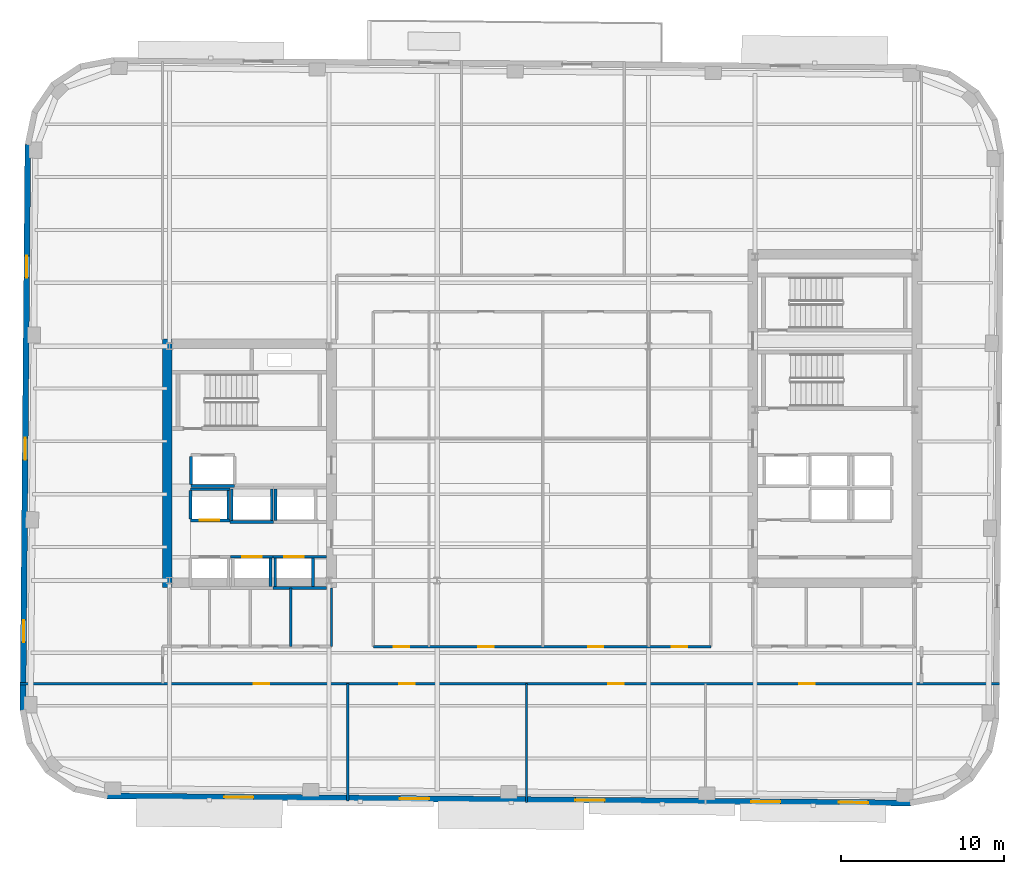
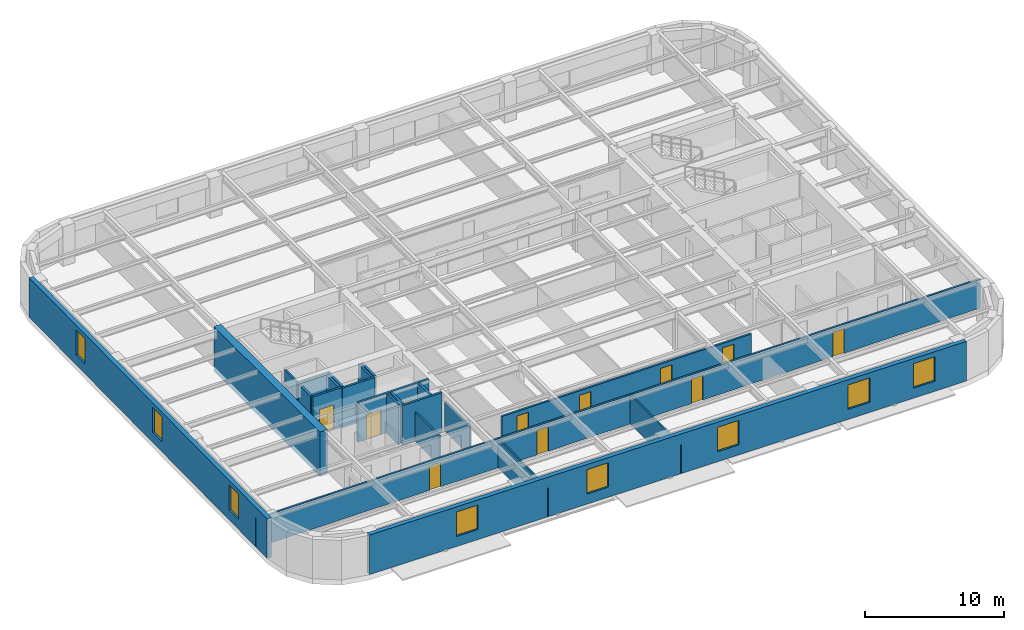
# One storey, part 4 of 11: 25 walls, 11 doors, 8 windows, 19 openings.
"""IFC4 building model written with IfcOpenShell, lengths in metres."""

from ifc_helpers import new_model, si_unit, direction, frame, frame_2d, origin, place, context, subcontext, project, spatial, rectangle, extrude, material, layer, layer_set, type_object, element, fill, save


model = new_model("IFC4")

# Units and contexts
model_context = context("Model", 3, precision=1e-05, world=origin(), true_north=direction((0.0, 1.0)))
body_context = subcontext(model_context, "Body", "Model", "MODEL_VIEW")
ifc_project = project(units=[si_unit("LENGTHUNIT", "METRE"), si_unit("AREAUNIT", "SQUARE_METRE"), si_unit("VOLUMEUNIT", "CUBIC_METRE"), si_unit("PLANEANGLEUNIT", "RADIAN"), si_unit("MASSUNIT", "GRAM", prefix="KILO")], contexts=[model_context])

# Site, building, storey
site_placement = place(None, origin())
site = spatial("IfcSite", under=ifc_project, at=site_placement, CompositionType="ELEMENT")
building_placement = place(site_placement, origin())
building = spatial("IfcBuilding", under=site, at=building_placement, Name="Kolvaren Arena Tower", CompositionType="ELEMENT")
storey_placement = place(building_placement, frame((0.0, 0.0, 158.449951171875)))
storey = spatial("IfcBuildingStorey", under=building, at=storey_placement, Name="L37", CompositionType="ELEMENT", Elevation=158.449951171875)

# Wall, openings, doors
ifc_material_1 = material(Name="Gypsum board acoustic assembly", Category="gypsum")
ifc_layer_1 = layer(ifc_material_1, 0.159912109375)
ifc_layer_set_1 = layer_set([ifc_layer_1], Name="Gypsum board acoustic assembly")
wall_type_1 = type_object("IfcWallType", Name="CORR-160", PredefinedType="PARTITIONING", material=ifc_layer_set_1)
wall_1_placement = place(storey_placement, frame((5.363525390625, 13.10009765625, 0.0), z_axis=(0.0, 0.0, 1.0), x_axis=(1.0, 0.0, 0.0)))
wall_1 = element("IfcWall", 1, at=wall_1_placement, inside=storey, type_object=wall_type_1, Name="Interior Partition Wall (L37)", PredefinedType="PARTITIONING", context=body_context, shape_type="SweptSolid", body=[
    extrude(rectangle(XDim=60.202392578125, YDim=0.159912109375, at=frame_2d((30.10107421875, 0.0))), origin(), (0.0, 0.0, 1.0), 2.5400390625),
])
opening_1_placement = place(wall_1_placement, frame((14.361328125, 0.0, 0.0)))
opening_1 = element("IfcOpeningElement", 2, at=opening_1_placement, cuts=wall_1, Name="Opening D05", PredefinedType="OPENING", context=body_context, shape_type="SweptSolid", body=[
    extrude(rectangle(XDim=0.949951171875, YDim=2.14990234375, at=frame_2d((0.47509765625, 1.074951171875))), frame((0.0, 0.08984375, 0.0), z_axis=(0.0, -1.0, 0.0), x_axis=(1.0, 0.0, 0.0)), (0.0, 0.0, 1.0), 0.179931640625),
])
opening_2_placement = place(wall_1_placement, frame((23.311279296875, 0.0, 0.0)))
opening_2 = element("IfcOpeningElement", 3, at=opening_2_placement, cuts=wall_1, Name="Opening D05", PredefinedType="OPENING", context=body_context, shape_type="SweptSolid", body=[
    extrude(rectangle(XDim=0.949951171875, YDim=2.14990234375, at=frame_2d((0.47509765625, 1.074951171875))), frame((0.0, 0.08984375, 0.0), z_axis=(0.0, -1.0, 0.0), x_axis=(1.0, 0.0, 0.0)), (0.0, 0.0, 1.0), 0.179931640625),
])
opening_3_placement = place(wall_1_placement, frame((36.161376953125, 0.0, 0.0)))
opening_3 = element("IfcOpeningElement", 4, at=opening_3_placement, cuts=wall_1, Name="Opening D05", PredefinedType="OPENING", context=body_context, shape_type="SweptSolid", body=[
    extrude(rectangle(XDim=0.949951171875, YDim=2.14990234375, at=frame_2d((0.47509765625, 1.074951171875))), frame((0.0, 0.08984375, 0.0), z_axis=(0.0, -1.0, 0.0), x_axis=(1.0, 0.0, 0.0)), (0.0, 0.0, 1.0), 0.179931640625),
])
opening_4_placement = place(wall_1_placement, frame((47.911376953125, 0.0, 0.0)))
opening_4 = element("IfcOpeningElement", 5, at=opening_4_placement, cuts=wall_1, Name="Opening D05", PredefinedType="OPENING", context=body_context, shape_type="SweptSolid", body=[
    extrude(rectangle(XDim=0.949951171875, YDim=2.14990234375, at=frame_2d((0.47509765625, 1.074951171875))), frame((0.0, 0.08984375, 0.0), z_axis=(0.0, -1.0, 0.0), x_axis=(1.0, 0.0, 0.0)), (0.0, 0.0, 1.0), 0.179931640625),
])
ifc_material_2 = material(Name="Solid-core oak acoustic office door", Category="wood")
door_type_1 = type_object("IfcDoorType", Name="DOOR-OF-095", OperationType="NOTDEFINED", PredefinedType="DOOR", material=ifc_material_2)
door_1_placement = place(opening_1_placement, origin())
door_1 = element("IfcDoor", 6, at=door_1_placement, inside=storey, type_object=door_type_1, Name="Open Plan Office Door (L37)", OperationType="SINGLE_SWING_LEFT", OverallHeight=2.14990234375, OverallWidth=0.949951171875, PredefinedType="DOOR", context=body_context, shape_type="SweptSolid", body=[
    extrude(rectangle(XDim=0.949951171875, YDim=2.14990234375, at=frame_2d((0.47509765625, 1.074951171875))), frame((0.0, 0.02490234375, 0.0), z_axis=(0.0, -1.0, 0.0), x_axis=(1.0, 0.0, 0.0)), (0.0, 0.0, 1.0), 0.050048828125),
])
fill(opening_1, door_1)
door_2_placement = place(opening_2_placement, origin())
door_2 = element("IfcDoor", 7, at=door_2_placement, inside=storey, type_object=door_type_1, Name="Open Plan Office Door (L37)", OperationType="SINGLE_SWING_RIGHT", OverallHeight=2.14990234375, OverallWidth=0.949951171875, PredefinedType="DOOR", context=body_context, shape_type="SweptSolid", body=[
    extrude(rectangle(XDim=0.949951171875, YDim=2.14990234375, at=frame_2d((0.47509765625, 1.074951171875))), frame((0.0, 0.02490234375, 0.0), z_axis=(0.0, -1.0, 0.0), x_axis=(1.0, 0.0, 0.0)), (0.0, 0.0, 1.0), 0.050048828125),
])
fill(opening_2, door_2)
door_3_placement = place(opening_3_placement, origin())
door_3 = element("IfcDoor", 8, at=door_3_placement, inside=storey, type_object=door_type_1, Name="Copy and Print Room Door (L37)", OperationType="SINGLE_SWING_LEFT", OverallHeight=2.14990234375, OverallWidth=0.949951171875, PredefinedType="DOOR", context=body_context, shape_type="SweptSolid", body=[
    extrude(rectangle(XDim=0.949951171875, YDim=2.14990234375, at=frame_2d((0.47509765625, 1.074951171875))), frame((0.0, 0.02490234375, 0.0), z_axis=(0.0, -1.0, 0.0), x_axis=(1.0, 0.0, 0.0)), (0.0, 0.0, 1.0), 0.050048828125),
])
fill(opening_3, door_3)
door_4_placement = place(opening_4_placement, origin())
door_4 = element("IfcDoor", 9, at=door_4_placement, inside=storey, type_object=door_type_1, Name="Design Studio Door (L37)", OperationType="SINGLE_SWING_RIGHT", OverallHeight=2.14990234375, OverallWidth=0.949951171875, PredefinedType="DOOR", context=body_context, shape_type="SweptSolid", body=[
    extrude(rectangle(XDim=0.949951171875, YDim=2.14990234375, at=frame_2d((0.47509765625, 1.074951171875))), frame((0.0, 0.02490234375, 0.0), z_axis=(0.0, -1.0, 0.0), x_axis=(1.0, 0.0, 0.0)), (0.0, 0.0, 1.0), 0.050048828125),
])
fill(opening_4, door_4)

wall_2_placement = place(storey_placement, frame((27.080078125, 15.3798828125, 0.0), z_axis=(0.0, 0.0, 1.0), x_axis=(1.0, 0.0, 0.0)))
wall_2 = element("IfcWall", 10, at=wall_2_placement, inside=storey, type_object=wall_type_1, Name="Interior Partition Wall (L37)", PredefinedType="PARTITIONING", context=body_context, shape_type="SweptSolid", body=[
    extrude(rectangle(XDim=20.739990234375, YDim=0.159912109375, at=frame_2d((10.3701171875, 0.0))), origin(), (0.0, 0.0, 1.0), 2.5400390625),
])
opening_5_placement = place(wall_2_placement, frame((1.2451171875, 0.0, 0.0)))
opening_5 = element("IfcOpeningElement", 11, at=opening_5_placement, cuts=wall_2, Name="Opening D05", PredefinedType="OPENING", context=body_context, shape_type="SweptSolid", body=[
    extrude(rectangle(XDim=0.949951171875, YDim=2.14990234375, at=frame_2d((0.47509765625, 1.074951171875))), frame((0.0, 0.08984375, 0.0), z_axis=(0.0, -1.0, 0.0), x_axis=(1.0, 0.0, 0.0)), (0.0, 0.0, 1.0), 0.179931640625),
])
opening_6_placement = place(wall_2_placement, frame((6.445068359375, 0.0, 0.0)))
opening_6 = element("IfcOpeningElement", 12, at=opening_6_placement, cuts=wall_2, Name="Opening D05", PredefinedType="OPENING", context=body_context, shape_type="SweptSolid", body=[
    extrude(rectangle(XDim=0.949951171875, YDim=2.14990234375, at=frame_2d((0.47509765625, 1.074951171875))), frame((0.0, 0.08984375, 0.0), z_axis=(0.0, -1.0, 0.0), x_axis=(1.0, 0.0, 0.0)), (0.0, 0.0, 1.0), 0.179931640625),
])
opening_7_placement = place(wall_2_placement, frame((13.195068359375, 0.0, 0.0)))
opening_7 = element("IfcOpeningElement", 13, at=opening_7_placement, cuts=wall_2, Name="Opening D05", PredefinedType="OPENING", context=body_context, shape_type="SweptSolid", body=[
    extrude(rectangle(XDim=0.949951171875, YDim=2.14990234375, at=frame_2d((0.47509765625, 1.074951171875))), frame((0.0, 0.08984375, 0.0), z_axis=(0.0, -1.0, 0.0), x_axis=(1.0, 0.0, 0.0)), (0.0, 0.0, 1.0), 0.179931640625),
])
opening_8_placement = place(wall_2_placement, frame((18.344970703125, 0.0, 0.0)))
opening_8 = element("IfcOpeningElement", 14, at=opening_8_placement, cuts=wall_2, Name="Opening D05", PredefinedType="OPENING", context=body_context, shape_type="SweptSolid", body=[
    extrude(rectangle(XDim=0.949951171875, YDim=2.14990234375, at=frame_2d((0.47509765625, 1.074951171875))), frame((0.0, 0.08984375, 0.0), z_axis=(0.0, -1.0, 0.0), x_axis=(1.0, 0.0, 0.0)), (0.0, 0.0, 1.0), 0.179931640625),
])
door_5_placement = place(opening_5_placement, origin())
door_5 = element("IfcDoor", 15, at=door_5_placement, inside=storey, type_object=door_type_1, Name="Copy and Print Room Door (L37)", OperationType="SINGLE_SWING_LEFT", OverallHeight=2.14990234375, OverallWidth=0.949951171875, PredefinedType="DOOR", context=body_context, shape_type="SweptSolid", body=[
    extrude(rectangle(XDim=0.949951171875, YDim=2.14990234375, at=frame_2d((0.47509765625, 1.074951171875))), frame((0.0, 0.02490234375, 0.0), z_axis=(0.0, -1.0, 0.0), x_axis=(1.0, 0.0, 0.0)), (0.0, 0.0, 1.0), 0.050048828125),
])
fill(opening_5, door_5)
door_6_placement = place(opening_6_placement, origin())
door_6 = element("IfcDoor", 16, at=door_6_placement, inside=storey, type_object=door_type_1, Name="Boardroom Door (L37)", OperationType="SINGLE_SWING_LEFT", OverallHeight=2.14990234375, OverallWidth=0.949951171875, PredefinedType="DOOR", context=body_context, shape_type="SweptSolid", body=[
    extrude(rectangle(XDim=0.949951171875, YDim=2.14990234375, at=frame_2d((0.47509765625, 1.074951171875))), frame((0.0, 0.02490234375, 0.0), z_axis=(0.0, -1.0, 0.0), x_axis=(1.0, 0.0, 0.0)), (0.0, 0.0, 1.0), 0.050048828125),
])
fill(opening_6, door_6)
door_7_placement = place(opening_7_placement, origin())
door_7 = element("IfcDoor", 17, at=door_7_placement, inside=storey, type_object=door_type_1, Name="Open Plan Office Door (L37)", OperationType="SINGLE_SWING_LEFT", OverallHeight=2.14990234375, OverallWidth=0.949951171875, PredefinedType="DOOR", context=body_context, shape_type="SweptSolid", body=[
    extrude(rectangle(XDim=0.949951171875, YDim=2.14990234375, at=frame_2d((0.47509765625, 1.074951171875))), frame((0.0, 0.02490234375, 0.0), z_axis=(0.0, -1.0, 0.0), x_axis=(1.0, 0.0, 0.0)), (0.0, 0.0, 1.0), 0.050048828125),
])
fill(opening_7, door_7)
door_8_placement = place(opening_8_placement, origin())
door_8 = element("IfcDoor", 18, at=door_8_placement, inside=storey, type_object=door_type_1, Name="Copy and Print Room Door (L37)", OperationType="SINGLE_SWING_LEFT", OverallHeight=2.14990234375, OverallWidth=0.949951171875, PredefinedType="DOOR", context=body_context, shape_type="SweptSolid", body=[
    extrude(rectangle(XDim=0.949951171875, YDim=2.14990234375, at=frame_2d((0.47509765625, 1.074951171875))), frame((0.0, 0.02490234375, 0.0), z_axis=(0.0, -1.0, 0.0), x_axis=(1.0, 0.0, 0.0)), (0.0, 0.0, 1.0), 0.050048828125),
])
fill(opening_8, door_8)

# Wall
ifc_material_3 = material(Name="Concrete 60 MPa", Category="concrete")
ifc_layer_2 = layer(ifc_material_3, 0.60009765625)
ifc_layer_set_2 = layer_set([ifc_layer_2], Name="Concrete 60 MPa")
wall_type_2 = type_object("IfcWallType", Name="CWALL-600", PredefinedType="SHEAR", material=ifc_layer_set_2)
wall_3_placement = place(storey_placement, frame((14.39990234375, 19.0, -0.449951171875), z_axis=(0.0, 0.0, 1.0), x_axis=(0.0, 1.0, 0.0)))
element("IfcWall", 19, at=wall_3_placement, inside=storey, type_object=wall_type_2, Name="Core Shear Wall WC-WEST (L37)", PredefinedType="SHEAR", context=body_context, shape_type="SweptSolid", body=[
    extrude(rectangle(XDim=15.300048828125, YDim=0.60009765625, at=frame_2d((7.64990234375, 0.0))), origin(), (0.0, 0.0, 1.0), 3.929931640625),
])

# Wall, openings, windows
ifc_material_4 = material(Name="Precast concrete C50/60", Category="concrete")
ifc_layer_3 = layer(ifc_material_4, 0.360107421875)
ifc_layer_set_3 = layer_set([ifc_layer_3], Name="Precast concrete C50/60")
wall_type_3 = type_object("IfcWallType", Name="EXT-PIER2", PredefinedType="SOLIDWALL", material=ifc_layer_set_3)
wall_4_placement = place(storey_placement, frame((5.529296875, 11.461669921875, 0.0), z_axis=(0.0, 0.0, 1.0), x_axis=(0.008727287311, 0.999961916503, 0.0)))
wall_4 = element("IfcWall", 20, at=wall_4_placement, inside=storey, type_object=wall_type_3, Name="Exterior Precast Masonry-Frame Wall (L37)", PredefinedType="SOLIDWALL", context=body_context, shape_type="SweptSolid", body=[
    extrude(rectangle(XDim=34.800048828125, YDim=0.360107421875, at=frame_2d((17.39990234375, 0.0))), origin(), (0.0, 0.0, 1.0), 3.47998046875),
])
opening_9_placement = place(wall_4_placement, frame((4.199951171875, 0.0, 0.8798828125)))
opening_9 = element("IfcOpeningElement", 21, at=opening_9_placement, cuts=wall_4, Name="Opening W04", PredefinedType="OPENING", context=body_context, shape_type="SweptSolid", body=[
    extrude(rectangle(XDim=1.35009765625, YDim=2.199951171875, at=frame_2d((0.675048828125, 1.10009765625))), frame((0.0, 0.18994140625, 0.0), z_axis=(0.0, -1.0, 0.0), x_axis=(1.0, 0.0, 0.0)), (0.0, 0.0, 1.0), 0.380126953125),
])
opening_10_placement = place(wall_4_placement, frame((15.39990234375, 0.0, 0.8798828125)))
opening_10 = element("IfcOpeningElement", 22, at=opening_10_placement, cuts=wall_4, Name="Opening W04", PredefinedType="OPENING", context=body_context, shape_type="SweptSolid", body=[
    extrude(rectangle(XDim=1.35009765625, YDim=2.199951171875, at=frame_2d((0.675048828125, 1.10009765625))), frame((0.0, 0.18994140625, 0.0), z_axis=(0.0, -1.0, 0.0), x_axis=(1.0, 0.0, 0.0)), (0.0, 0.0, 1.0), 0.380126953125),
])
opening_11_placement = place(wall_4_placement, frame((26.60009765625, 0.0, 0.8798828125)))
opening_11 = element("IfcOpeningElement", 23, at=opening_11_placement, cuts=wall_4, Name="Opening W04", PredefinedType="OPENING", context=body_context, shape_type="SweptSolid", body=[
    extrude(rectangle(XDim=1.35009765625, YDim=2.199951171875, at=frame_2d((0.675048828125, 1.10009765625))), frame((0.0, 0.18994140625, 0.0), z_axis=(0.0, -1.0, 0.0), x_axis=(1.0, 0.0, 0.0)), (0.0, 0.0, 1.0), 0.380126953125),
])
ifc_material_5 = material(Name="Triple-glazed curved-facet corner window", Category="glass")
window_type_1 = type_object("IfcWindowType", Name="WIN-CRN-A", PartitioningType="SINGLE_PANEL", PredefinedType="WINDOW", material=ifc_material_5)
window_1_placement = place(opening_9_placement, origin())
window_1 = element("IfcWindow", 24, at=window_1_placement, inside=storey, type_object=window_type_1, Name="End-Wall Punched Window (L37)", OverallHeight=2.199951171875, OverallWidth=1.35009765625, PartitioningType="SINGLE_PANEL", PredefinedType="WINDOW", context=body_context, shape_type="SweptSolid", body=[
    extrude(rectangle(XDim=1.35009765625, YDim=2.199951171875, at=frame_2d((0.675048828125, 1.10009765625))), frame((0.0, 0.030029296875, 0.0), z_axis=(0.0, -1.0, 0.0), x_axis=(1.0, 0.0, 0.0)), (0.0, 0.0, 1.0), 0.06005859375),
])
fill(opening_9, window_1)
window_2_placement = place(opening_10_placement, origin())
window_2 = element("IfcWindow", 25, at=window_2_placement, inside=storey, type_object=window_type_1, Name="End-Wall Punched Window (L37)", OverallHeight=2.199951171875, OverallWidth=1.35009765625, PartitioningType="SINGLE_PANEL", PredefinedType="WINDOW", context=body_context, shape_type="SweptSolid", body=[
    extrude(rectangle(XDim=1.35009765625, YDim=2.199951171875, at=frame_2d((0.675048828125, 1.10009765625))), frame((0.0, 0.030029296875, 0.0), z_axis=(0.0, -1.0, 0.0), x_axis=(1.0, 0.0, 0.0)), (0.0, 0.0, 1.0), 0.06005859375),
])
fill(opening_10, window_2)
window_3_placement = place(opening_11_placement, origin())
window_3 = element("IfcWindow", 26, at=window_3_placement, inside=storey, type_object=window_type_1, Name="End-Wall Punched Window (L37)", OverallHeight=2.199951171875, OverallWidth=1.35009765625, PartitioningType="SINGLE_PANEL", PredefinedType="WINDOW", context=body_context, shape_type="SweptSolid", body=[
    extrude(rectangle(XDim=1.35009765625, YDim=2.199951171875, at=frame_2d((0.675048828125, 1.10009765625))), frame((0.0, 0.030029296875, 0.0), z_axis=(0.0, -1.0, 0.0), x_axis=(1.0, 0.0, 0.0)), (0.0, 0.0, 1.0), 0.06005859375),
])
fill(opening_11, window_3)

wall_5_placement = place(storey_placement, frame((60.101806640625, 5.765380859375, 0.0), z_axis=(0.0, 0.0, 1.0), x_axis=(-0.999961955436, 0.008722825272, 0.0)))
wall_5 = element("IfcWall", 27, at=wall_5_placement, inside=storey, type_object=wall_type_3, Name="Exterior Precast Masonry-Frame Wall (L37)", PredefinedType="SOLIDWALL", context=body_context, shape_type="SweptSolid", body=[
    extrude(rectangle(XDim=49.400146484375, YDim=0.360107421875, at=frame_2d((24.7001953125, 0.0))), origin(), (0.0, 0.0, 1.0), 3.47998046875),
])
opening_12_placement = place(wall_5_placement, frame((2.60009765625, 0.0, 0.8798828125)))
opening_12 = element("IfcOpeningElement", 28, at=opening_12_placement, cuts=wall_5, Name="Opening W02", PredefinedType="OPENING", context=body_context, shape_type="SweptSolid", body=[
    extrude(rectangle(XDim=1.800048828125, YDim=2.14990234375, at=frame_2d((0.89990234375, 1.074951171875))), frame((0.0, 0.18994140625, 0.0), z_axis=(0.0, -1.0, 0.0), x_axis=(1.0, 0.0, 0.0)), (0.0, 0.0, 1.0), 0.380126953125),
])
opening_13_placement = place(wall_5_placement, frame((8.0, 0.0, 0.8798828125)))
opening_13 = element("IfcOpeningElement", 29, at=opening_13_placement, cuts=wall_5, Name="Opening W02", PredefinedType="OPENING", context=body_context, shape_type="SweptSolid", body=[
    extrude(rectangle(XDim=1.800048828125, YDim=2.14990234375, at=frame_2d((0.89990234375, 1.074951171875))), frame((0.0, 0.18994140625, 0.0), z_axis=(0.0, -1.0, 0.0), x_axis=(1.0, 0.0, 0.0)), (0.0, 0.0, 1.0), 0.380126953125),
])
opening_14_placement = place(wall_5_placement, frame((18.800048828125, 0.0, 0.8798828125)))
opening_14 = element("IfcOpeningElement", 30, at=opening_14_placement, cuts=wall_5, Name="Opening W02", PredefinedType="OPENING", context=body_context, shape_type="SweptSolid", body=[
    extrude(rectangle(XDim=1.800048828125, YDim=2.14990234375, at=frame_2d((0.89990234375, 1.074951171875))), frame((0.0, 0.18994140625, 0.0), z_axis=(0.0, -1.0, 0.0), x_axis=(1.0, 0.0, 0.0)), (0.0, 0.0, 1.0), 0.380126953125),
])
opening_15_placement = place(wall_5_placement, frame((29.60009765625, 0.0, 0.8798828125)))
opening_15 = element("IfcOpeningElement", 31, at=opening_15_placement, cuts=wall_5, Name="Opening W02", PredefinedType="OPENING", context=body_context, shape_type="SweptSolid", body=[
    extrude(rectangle(XDim=1.800048828125, YDim=2.14990234375, at=frame_2d((0.89990234375, 1.074951171875))), frame((0.0, 0.18994140625, 0.0), z_axis=(0.0, -1.0, 0.0), x_axis=(1.0, 0.0, 0.0)), (0.0, 0.0, 1.0), 0.380126953125),
])
opening_16_placement = place(wall_5_placement, frame((40.39990234375, 0.0, 0.8798828125)))
opening_16 = element("IfcOpeningElement", 32, at=opening_16_placement, cuts=wall_5, Name="Opening W02", PredefinedType="OPENING", context=body_context, shape_type="SweptSolid", body=[
    extrude(rectangle(XDim=1.800048828125, YDim=2.14990234375, at=frame_2d((0.89990234375, 1.074951171875))), frame((0.0, 0.18994140625, 0.0), z_axis=(0.0, -1.0, 0.0), x_axis=(1.0, 0.0, 0.0)), (0.0, 0.0, 1.0), 0.380126953125),
])
ifc_material_6 = material(Name="Triple-glazed low-E aluminium window", Category="aluminium")
window_type_2 = type_object("IfcWindowType", Name="WIN-OFF-B", PartitioningType="DOUBLE_PANEL_VERTICAL", PredefinedType="WINDOW", material=ifc_material_6)
window_4_placement = place(opening_12_placement, origin())
window_4 = element("IfcWindow", 33, at=window_4_placement, inside=storey, type_object=window_type_2, Name="Punched Precast-Pier Window (L37)", OverallHeight=2.14990234375, OverallWidth=1.800048828125, PartitioningType="DOUBLE_PANEL_VERTICAL", PredefinedType="WINDOW", context=body_context, shape_type="SweptSolid", body=[
    extrude(rectangle(XDim=1.800048828125, YDim=2.14990234375, at=frame_2d((0.89990234375, 1.074951171875))), frame((0.0, 0.030029296875, 0.0), z_axis=(0.0, -1.0, 0.0), x_axis=(1.0, 0.0, 0.0)), (0.0, 0.0, 1.0), 0.06005859375),
])
fill(opening_12, window_4)
window_5_placement = place(opening_13_placement, origin())
window_5 = element("IfcWindow", 34, at=window_5_placement, inside=storey, type_object=window_type_2, Name="Punched Precast-Pier Window (L37)", OverallHeight=2.14990234375, OverallWidth=1.800048828125, PartitioningType="DOUBLE_PANEL_VERTICAL", PredefinedType="WINDOW", context=body_context, shape_type="SweptSolid", body=[
    extrude(rectangle(XDim=1.800048828125, YDim=2.14990234375, at=frame_2d((0.89990234375, 1.074951171875))), frame((0.0, 0.030029296875, 0.0), z_axis=(0.0, -1.0, 0.0), x_axis=(1.0, 0.0, 0.0)), (0.0, 0.0, 1.0), 0.06005859375),
])
fill(opening_13, window_5)
window_6_placement = place(opening_14_placement, origin())
window_6 = element("IfcWindow", 35, at=window_6_placement, inside=storey, type_object=window_type_2, Name="Punched Precast-Pier Window (L37)", OverallHeight=2.14990234375, OverallWidth=1.800048828125, PartitioningType="DOUBLE_PANEL_VERTICAL", PredefinedType="WINDOW", context=body_context, shape_type="SweptSolid", body=[
    extrude(rectangle(XDim=1.800048828125, YDim=2.14990234375, at=frame_2d((0.89990234375, 1.074951171875))), frame((0.0, 0.030029296875, 0.0), z_axis=(0.0, -1.0, 0.0), x_axis=(1.0, 0.0, 0.0)), (0.0, 0.0, 1.0), 0.06005859375),
])
fill(opening_14, window_6)
window_7_placement = place(opening_15_placement, origin())
window_7 = element("IfcWindow", 36, at=window_7_placement, inside=storey, type_object=window_type_2, Name="Punched Precast-Pier Window (L37)", OverallHeight=2.14990234375, OverallWidth=1.800048828125, PartitioningType="DOUBLE_PANEL_VERTICAL", PredefinedType="WINDOW", context=body_context, shape_type="SweptSolid", body=[
    extrude(rectangle(XDim=1.800048828125, YDim=2.14990234375, at=frame_2d((0.89990234375, 1.074951171875))), frame((0.0, 0.030029296875, 0.0), z_axis=(0.0, -1.0, 0.0), x_axis=(1.0, 0.0, 0.0)), (0.0, 0.0, 1.0), 0.06005859375),
])
fill(opening_15, window_7)
window_8_placement = place(opening_16_placement, origin())
window_8 = element("IfcWindow", 37, at=window_8_placement, inside=storey, type_object=window_type_2, Name="Punched Precast-Pier Window (L37)", OverallHeight=2.14990234375, OverallWidth=1.800048828125, PartitioningType="DOUBLE_PANEL_VERTICAL", PredefinedType="WINDOW", context=body_context, shape_type="SweptSolid", body=[
    extrude(rectangle(XDim=1.800048828125, YDim=2.14990234375, at=frame_2d((0.89990234375, 1.074951171875))), frame((0.0, 0.030029296875, 0.0), z_axis=(0.0, -1.0, 0.0), x_axis=(1.0, 0.0, 0.0)), (0.0, 0.0, 1.0), 0.06005859375),
])
fill(opening_16, window_8)

# Walls
ifc_material_7 = material(Name="Gypsum board partition assembly", Category="gypsum")
ifc_layer_4 = layer(ifc_material_7, 0.135009765625)
ifc_layer_set_4 = layer_set([ifc_layer_4], Name="Gypsum board partition assembly")
wall_type_4 = type_object("IfcWallType", Name="PART-135", PredefinedType="PARTITIONING", material=ifc_layer_set_4)
wall_6_placement = place(storey_placement, frame((25.5, 5.88720703125, 0.0), z_axis=(0.0, 0.0, 1.0), x_axis=(0.0, 1.0, 0.0)))
element("IfcWall", 38, at=wall_6_placement, inside=storey, type_object=wall_type_4, Name="Interior Partition Wall (L37)", PredefinedType="PARTITIONING", context=body_context, shape_type="SweptSolid", body=[
    extrude(rectangle(XDim=7.212890625, YDim=0.135009765625, at=frame_2d((3.6064453125, 0.0))), origin(), (0.0, 0.0, 1.0), 2.5400390625),
])
wall_7_placement = place(storey_placement, frame((36.5, 5.791259765625, 0.0), z_axis=(0.0, 0.0, 1.0), x_axis=(0.0, 1.0, 0.0)))
element("IfcWall", 39, at=wall_7_placement, inside=storey, type_object=wall_type_4, Name="Interior Partition Wall (L37)", PredefinedType="PARTITIONING", context=body_context, shape_type="SweptSolid", body=[
    extrude(rectangle(XDim=7.308837890625, YDim=0.135009765625, at=frame_2d((3.654296875, 0.0))), origin(), (0.0, 0.0, 1.0), 2.5400390625),
])

# Wall, opening, door
ifc_material_8 = material(Name="Concrete 45 MPa", Category="concrete")
ifc_layer_5 = layer(ifc_material_8, 0.25)
ifc_layer_set_5 = layer_set([ifc_layer_5], Name="Concrete 45 MPa")
wall_type_5 = type_object("IfcWallType", Name="SHAFT-250", PredefinedType="SOLIDWALL", material=ifc_layer_set_5)
wall_8_placement = place(storey_placement, frame((18.300048828125, 20.905029296875, 0.0), z_axis=(0.0, 0.0, 1.0), x_axis=(1.0, 0.0, 0.0)))
wall_8 = element("IfcWall", 40, at=wall_8_placement, inside=storey, type_object=wall_type_5, Name="Core Shaft Wall (L37)", PredefinedType="SOLIDWALL", context=body_context, shape_type="SweptSolid", body=[
    extrude(rectangle(XDim=2.599853515625, YDim=0.179931640625, at=frame_2d((1.2998046875, 0.0))), origin(), (0.0, 0.0, 1.0), 3.47998046875),
])
opening_17_placement = place(wall_8_placement, frame((0.699951171875, 0.0, 0.0)))
opening_17 = element("IfcOpeningElement", 41, at=opening_17_placement, cuts=wall_8, Name="Opening LD1", PredefinedType="OPENING", context=body_context, shape_type="SweptSolid", body=[
    extrude(rectangle(XDim=1.199951171875, YDim=2.199951171875, at=frame_2d((0.60009765625, 1.10009765625))), frame((0.0, 0.099853515625, 0.0), z_axis=(0.0, -1.0, 0.0), x_axis=(1.0, 0.0, 0.0)), (0.0, 0.0, 1.0), 0.199951171875),
])
ifc_material_9 = material(Name="Stainless steel passenger lift landing door", Category="steel")
door_type_2 = type_object("IfcDoorType", Name="DOOR-LD-120", OperationType="DOUBLE_DOOR_SLIDING", PredefinedType="DOOR", material=ifc_material_9)
door_9_placement = place(opening_17_placement, origin())
door_9 = element("IfcDoor", 42, at=door_9_placement, inside=storey, type_object=door_type_2, Name="Lift EL-MR2 Landing Door (L37)", OperationType="DOUBLE_DOOR_SLIDING", OverallHeight=2.199951171875, OverallWidth=1.199951171875, PredefinedType="DOOR", context=body_context, shape_type="SweptSolid", body=[
    extrude(rectangle(XDim=1.199951171875, YDim=2.199951171875, at=frame_2d((0.60009765625, 1.10009765625))), frame((0.0, 0.02490234375, 0.0), z_axis=(0.0, -1.0, 0.0), x_axis=(1.0, 0.0, 0.0)), (0.0, 0.0, 1.0), 0.050048828125),
])
fill(opening_17, door_9)

# Wall
wall_9_placement = place(storey_placement, frame((20.7548828125, 19.0849609375, 0.0), z_axis=(0.0, 0.0, 1.0), x_axis=(0.0, 1.0, 0.0)))
element("IfcWall", 43, at=wall_9_placement, inside=storey, type_object=wall_type_5, Name="Core Shaft Wall (L37)", PredefinedType="SOLIDWALL", context=body_context, shape_type="SweptSolid", body=[
    extrude(rectangle(XDim=1.72998046875, YDim=0.179931640625, at=frame_2d((0.864990234375, 0.0))), origin(), (0.0, 0.0, 1.0), 3.47998046875),
])

# Wall, opening, door
wall_10_placement = place(storey_placement, frame((20.89990234375, 20.905029296875, 0.0), z_axis=(0.0, 0.0, 1.0), x_axis=(1.0, 0.0, 0.0)))
wall_10 = element("IfcWall", 44, at=wall_10_placement, inside=storey, type_object=wall_type_5, Name="Core Shaft Wall (L37)", PredefinedType="SOLIDWALL", context=body_context, shape_type="SweptSolid", body=[
    extrude(rectangle(XDim=3.300048828125, YDim=0.179931640625, at=frame_2d((1.64990234375, 0.0))), origin(), (0.0, 0.0, 1.0), 3.47998046875),
])
opening_18_placement = place(wall_10_placement, frame((0.699951171875, 0.0, 0.0)))
opening_18 = element("IfcOpeningElement", 45, at=opening_18_placement, cuts=wall_10, Name="Opening LD1", PredefinedType="OPENING", context=body_context, shape_type="SweptSolid", body=[
    extrude(rectangle(XDim=1.199951171875, YDim=2.199951171875, at=frame_2d((0.60009765625, 1.10009765625))), frame((0.0, 0.099853515625, 0.0), z_axis=(0.0, -1.0, 0.0), x_axis=(1.0, 0.0, 0.0)), (0.0, 0.0, 1.0), 0.199951171875),
])
door_10_placement = place(opening_18_placement, origin())
door_10 = element("IfcDoor", 46, at=door_10_placement, inside=storey, type_object=door_type_2, Name="Lift EL-MR3 Landing Door (L37)", OperationType="DOUBLE_DOOR_SLIDING", OverallHeight=2.199951171875, OverallWidth=1.199951171875, PredefinedType="DOOR", context=body_context, shape_type="SweptSolid", body=[
    extrude(rectangle(XDim=1.199951171875, YDim=2.199951171875, at=frame_2d((0.60009765625, 1.10009765625))), frame((0.0, 0.02490234375, 0.0), z_axis=(0.0, -1.0, 0.0), x_axis=(1.0, 0.0, 0.0)), (0.0, 0.0, 1.0), 0.050048828125),
])
fill(opening_18, door_10)

# Walls
wall_11_placement = place(storey_placement, frame((20.89990234375, 18.9951171875, 0.0), z_axis=(0.0, 0.0, 1.0), x_axis=(1.0, 0.0, 0.0)))
element("IfcWall", 47, at=wall_11_placement, inside=storey, type_object=wall_type_5, Name="Core Shaft Wall (L37)", PredefinedType="SOLIDWALL", context=body_context, shape_type="SweptSolid", body=[
    extrude(rectangle(XDim=3.300048828125, YDim=0.179931640625, at=frame_2d((1.64990234375, 0.0))), origin(), (0.0, 0.0, 1.0), 3.47998046875),
])
for number, where, z_axis, x_axis, name in (
    (48, (21.044921875, 19.0849609375, 0.0), (0.0, 0.0, 1.0), (0.0, 1.0, 0.0), "Core Shaft Wall (L37)"),
    (49, (23.35498046875, 19.0849609375, 0.0), (0.0, 0.0, 1.0), (0.0, 1.0, 0.0), "Core Shaft Wall (L37)"),
):
    element("IfcWall", number, at=place(storey_placement, frame(where, z_axis=z_axis, x_axis=x_axis)), inside=storey, type_object=wall_type_5, Name=name, PredefinedType="SOLIDWALL", context=body_context, shape_type="SweptSolid", body=[
        extrude(rectangle(XDim=1.72998046875, YDim=0.179931640625, at=frame_2d((0.864990234375, 0.0))), origin(), (0.0, 0.0, 1.0), 3.47998046875),
    ])
wall_12_placement = place(storey_placement, frame((15.844970703125, 25.054931640625, 0.0), z_axis=(0.0, 0.0, 1.0), x_axis=(1.0, 0.0, 0.0)))
element("IfcWall", 50, at=wall_12_placement, inside=storey, type_object=wall_type_5, Name="Core Shaft Wall (L37)", PredefinedType="SOLIDWALL", context=body_context, shape_type="SweptSolid", body=[
    extrude(rectangle(XDim=2.41748046875, YDim=0.179931640625, at=frame_2d((1.208740234375, 0.0))), origin(), (0.0, 0.0, 1.0), 3.47998046875),
])

# Wall, opening, door
wall_13_placement = place(storey_placement, frame((15.844970703125, 23.14501953125, 0.0), z_axis=(0.0, 0.0, 1.0), x_axis=(1.0, 0.0, 0.0)))
wall_13 = element("IfcWall", 51, at=wall_13_placement, inside=storey, type_object=wall_type_5, Name="Core Shaft Wall (L37)", PredefinedType="SOLIDWALL", context=body_context, shape_type="SweptSolid", body=[
    extrude(rectangle(XDim=2.41748046875, YDim=0.179931640625, at=frame_2d((1.208740234375, 0.0))), origin(), (0.0, 0.0, 1.0), 3.47998046875),
])
opening_19_placement = place(wall_13_placement, frame((0.554931640625, 0.0, 0.0)))
opening_19 = element("IfcOpeningElement", 52, at=opening_19_placement, cuts=wall_13, Name="Opening LD1", PredefinedType="OPENING", context=body_context, shape_type="SweptSolid", body=[
    extrude(rectangle(XDim=1.199951171875, YDim=2.199951171875, at=frame_2d((0.60009765625, 1.10009765625))), frame((0.0, 0.099853515625, 0.0), z_axis=(0.0, -1.0, 0.0), x_axis=(1.0, 0.0, 0.0)), (0.0, 0.0, 1.0), 0.199951171875),
])
door_11_placement = place(opening_19_placement, origin())
door_11 = element("IfcDoor", 53, at=door_11_placement, inside=storey, type_object=door_type_2, Name="Lift EL-MR4 Landing Door (L37)", OperationType="DOUBLE_DOOR_SLIDING", OverallHeight=2.199951171875, OverallWidth=1.199951171875, PredefinedType="DOOR", context=body_context, shape_type="SweptSolid", body=[
    extrude(rectangle(XDim=1.199951171875, YDim=2.199951171875, at=frame_2d((0.60009765625, 1.10009765625))), frame((0.0, 0.02490234375, 0.0), z_axis=(0.0, -1.0, 0.0), x_axis=(1.0, 0.0, 0.0)), (0.0, 0.0, 1.0), 0.050048828125),
])
fill(opening_19, door_11)

# Walls
for number, where, z_axis, x_axis, name in (
    (54, (15.844970703125, 23.235107421875, 0.0), (0.0, 0.0, 1.0), (0.0, 1.0, 0.0), "Core Shaft Wall (L37)"),
    (55, (18.155029296875, 23.235107421875, 0.0), (0.0, 0.0, 1.0), (0.0, 1.0, 0.0), "Core Shaft Wall (L37)"),
):
    element("IfcWall", number, at=place(storey_placement, frame(where, z_axis=z_axis, x_axis=x_axis)), inside=storey, type_object=wall_type_5, Name=name, PredefinedType="SOLIDWALL", context=body_context, shape_type="SweptSolid", body=[
        extrude(rectangle(XDim=1.72998046875, YDim=0.179931640625, at=frame_2d((0.864990234375, 0.0))), origin(), (0.0, 0.0, 1.0), 3.47998046875),
    ])
wall_14_placement = place(storey_placement, frame((18.262451171875, 23.044921875, 0.0), z_axis=(0.0, 0.0, 1.0), x_axis=(1.0, 0.0, 0.0)))
element("IfcWall", 56, at=wall_14_placement, inside=storey, type_object=wall_type_5, Name="Core Shaft Wall (L37)", PredefinedType="SOLIDWALL", context=body_context, shape_type="SweptSolid", body=[
    extrude(rectangle(XDim=2.6875, YDim=0.179931640625, at=frame_2d((1.34375, 0.0))), origin(), (0.0, 0.0, 1.0), 3.47998046875),
])
for number, where, z_axis, x_axis, name in (
    (57, (18.3701171875, 23.135009765625, 0.0), (0.0, 0.0, 1.0), (0.0, 1.0, 0.0), "Core Shaft Wall (L37)"),
    (58, (20.830078125, 23.135009765625, 0.0), (0.0, 0.0, 1.0), (0.0, 1.0, 0.0), "Core Shaft Wall (L37)"),
    (59, (21.070068359375, 23.135009765625, 0.0), (0.0, 0.0, 1.0), (0.0, 1.0, 0.0), "Core Shaft Wall (L37)"),
):
    element("IfcWall", number, at=place(storey_placement, frame(where, z_axis=z_axis, x_axis=x_axis)), inside=storey, type_object=wall_type_5, Name=name, PredefinedType="SOLIDWALL", context=body_context, shape_type="SweptSolid", body=[
        extrude(rectangle(XDim=1.929931640625, YDim=0.179931640625, at=frame_2d((0.96484375, 0.0))), origin(), (0.0, 0.0, 1.0), 3.47998046875),
    ])
wall_15_placement = place(storey_placement, frame((15.8701171875, 25.2451171875, 0.0), z_axis=(0.0, 0.0, 1.0), x_axis=(1.0, 0.0, 0.0)))
element("IfcWall", 60, at=wall_15_placement, inside=storey, type_object=wall_type_5, Name="Core Shaft Wall (L37)", PredefinedType="SOLIDWALL", context=body_context, shape_type="SweptSolid", body=[
    extrude(rectangle(XDim=2.659912109375, YDim=0.179931640625, at=frame_2d((1.330078125, 0.0))), origin(), (0.0, 0.0, 1.0), 3.47998046875),
])
wall_16_placement = place(storey_placement, frame((15.8701171875, 25.3349609375, 0.0), z_axis=(0.0, 0.0, 1.0), x_axis=(0.0, 1.0, 0.0)))
element("IfcWall", 61, at=wall_16_placement, inside=storey, type_object=wall_type_5, Name="Core Shaft Wall (L37)", PredefinedType="SOLIDWALL", context=body_context, shape_type="SweptSolid", body=[
    extrude(rectangle(XDim=1.72998046875, YDim=0.179931640625, at=frame_2d((0.864990234375, 0.0))), origin(), (0.0, 0.0, 1.0), 3.47998046875),
])
ifc_material_10 = material(Name="Moisture-resistant gypsum assembly", Category="gypsum")
ifc_layer_6 = layer(ifc_material_10, 0.14990234375)
ifc_layer_set_6 = layer_set([ifc_layer_6], Name="Moisture-resistant gypsum assembly")
wall_type_6 = type_object("IfcWallType", Name="WETW-150", PredefinedType="PARTITIONING", material=ifc_layer_set_6)
for number, where, z_axis, x_axis, name in (
    (62, (22.0, 15.39990234375, 0.0), (0.0, 0.0, 1.0), (0.0, 1.0, 0.0), "Interior Partition Wall (L37)"),
    (63, (24.5, 15.39990234375, 0.0), (0.0, 0.0, 1.0), (0.0, 1.0, 0.0), "Interior Partition Wall (L37)"),
):
    element("IfcWall", number, at=place(storey_placement, frame(where, z_axis=z_axis, x_axis=x_axis)), inside=storey, type_object=wall_type_6, Name=name, PredefinedType="PARTITIONING", context=body_context, shape_type="SweptSolid", body=[
        extrude(rectangle(XDim=3.580078125, YDim=0.14990234375, at=frame_2d((1.7900390625, 0.0))), origin(), (0.0, 0.0, 1.0), 2.5400390625),
    ])

save(model, "model.ifc")
